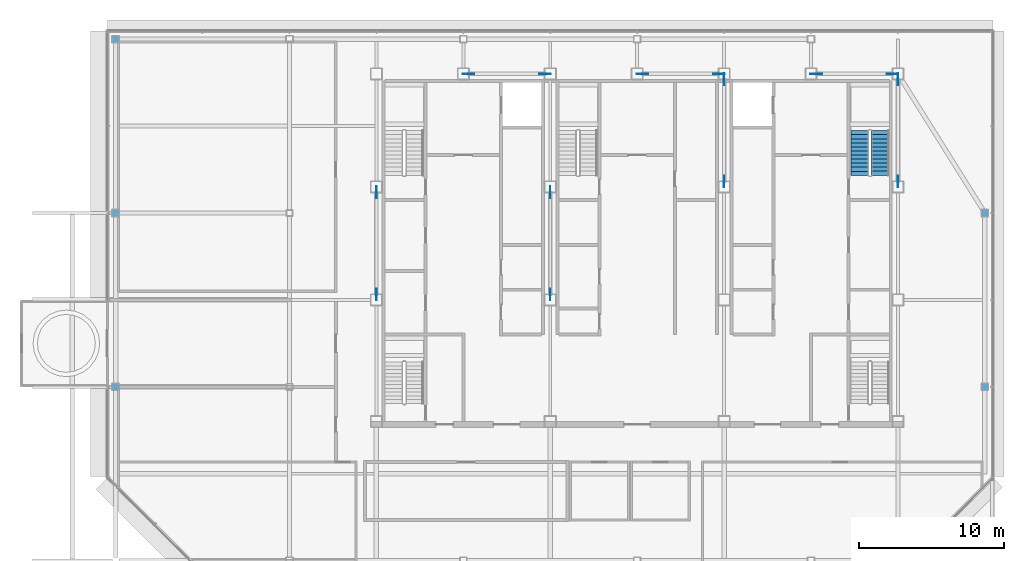
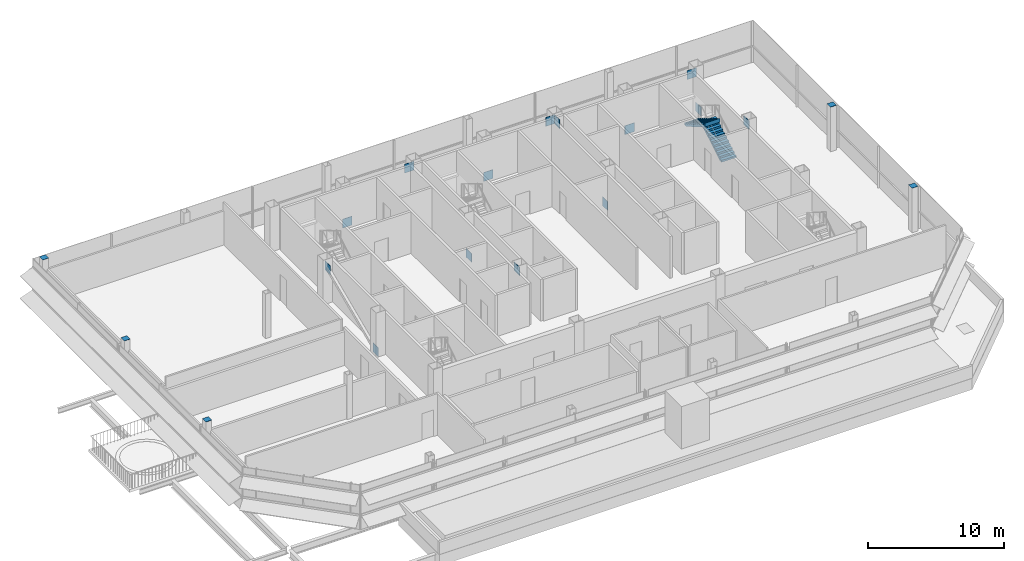
# One storey, part 23 of 26: 19 discrete accessories, 2 stair flights, 1 element without a shape of its own.
"""IFC4 building model written with IfcOpenShell, lengths in metres."""

from ifc_helpers import new_model, si_unit, direction, frame, origin, origin_2d, place, context, subcontext, project, spatial, polyline, rectangle, outline, extrude, material, layer, layer_set, type_object, element, aggregate, save


model = new_model("IFC4")

# Units and contexts
model_context = context("Model", 3, precision=1e-05, world=origin(), true_north=direction((0.0, 1.0)))
body_context = subcontext(model_context, "Body", "Model", "MODEL_VIEW")
ifc_project = project(units=[si_unit("LENGTHUNIT", "METRE"), si_unit("AREAUNIT", "SQUARE_METRE"), si_unit("VOLUMEUNIT", "CUBIC_METRE"), si_unit("PLANEANGLEUNIT", "RADIAN"), si_unit("MASSUNIT", "GRAM", prefix="KILO")], contexts=[model_context])

# Site, building, storey
site_placement = place(None, origin())
site = spatial("IfcSite", under=ifc_project, at=site_placement, CompositionType="ELEMENT")
building_placement = place(site_placement, origin())
building = spatial("IfcBuilding", under=site, at=building_placement, Name="Sorahane Residences", CompositionType="ELEMENT")
storey_placement = place(building_placement, frame((0.0, 0.0, 337.800048828125)))
storey = spatial("IfcBuildingStorey", under=building, at=storey_placement, Name="L80", CompositionType="ELEMENT", Elevation=337.800048828125)

# Stair, stair flights
ifc_material_1 = material(Name="Concrete C40", Category="concrete")
stair_type = type_object("IfcStairType", Name="Dog-leg stair 1250 Concrete C40", PredefinedType="HALF_TURN_STAIR", material=ifc_material_1)
stair_placement = place(storey_placement, origin())
stair = element("IfcStair", 1, at=stair_placement, inside=storey, type_object=stair_type, Name="L80 Stair S2", PredefinedType="HALF_TURN_STAIR")
ifc_material_2 = material(Name="Concrete C40", Category="concrete")
stair_flight_type = type_object("IfcStairFlightType", Name="Stair flight 1250 Concrete C40", PredefinedType="STRAIGHT", material=ifc_material_2)
stair_flight_1_placement = place(storey_placement, frame((40.77490234375, 38.60009765625, 0.0), z_axis=(0.0, 0.0, 1.0), x_axis=(0.0, 1.0, 0.0)))
stair_flight_1 = element("IfcStairFlight", 2, at=stair_flight_1_placement, type_object=stair_flight_type, Name="S2 flight 1", NumberOfRisers=12, NumberOfTreads=11, PredefinedType="STRAIGHT", RiserHeight=0.166666667, TreadLength=0.28, context=body_context, shape_type="SweptSolid", body=[
    extrude(outline(polyline([(-0.00146484375, 0.0), (-0.00146484375, 0.166748046875), (0.0, 0.166748046875), (0.280029296875, 0.166748046875), (0.280029296875, 0.333251953125), (0.56005859375, 0.333251953125), (0.56005859375, 0.5), (0.840087890625, 0.5), (0.840087890625, 0.666748046875), (1.1201171875, 0.666748046875), (1.1201171875, 0.833251953125), (1.39990234375, 0.833251953125), (1.39990234375, 1.0), (1.679931640625, 1.0), (1.679931640625, 1.166748046875), (1.9599609375, 1.166748046875), (1.9599609375, 1.333251953125), (2.239990234375, 1.333251953125), (2.239990234375, 1.5), (2.52001953125, 1.5), (2.52001953125, 1.666748046875), (2.800048828125, 1.666748046875), (2.800048828125, 1.833251953125), (3.080078125, 1.833251953125), (3.080078125, 2.0), (3.080078125, 1.658935546875), (2.86572265625, 1.53125), (2.651123046875, 1.403564453125), (2.436767578125, 1.276123046875), (2.222412109375, 1.1484375), (2.008056640625, 1.020751953125), (1.793701171875, 0.893310546875), (1.579345703125, 0.765625), (1.364990234375, 0.637939453125), (1.150634765625, 0.510498046875), (0.936279296875, 0.3828125), (0.721923828125, 0.255126953125), (0.507568359375, 0.127685546875), (0.29296875, 0.0), (-0.00146484375, 0.0)])), frame((0.0, 0.625, 0.0), z_axis=(0.0, -1.0, 0.0), x_axis=(1.0, 0.0, 0.0)), (0.0, 0.0, 1.0), 1.25),
])
stair_flight_2_placement = place(storey_placement, frame((39.375, 41.679931640625, 2.0), z_axis=(0.0, 0.0, 1.0), x_axis=(0.0, -1.0, 0.0)))
stair_flight_2 = element("IfcStairFlight", 3, at=stair_flight_2_placement, type_object=stair_flight_type, Name="S2 flight 2", NumberOfRisers=12, NumberOfTreads=11, PredefinedType="STRAIGHT", RiserHeight=0.166666667, TreadLength=0.28, context=body_context, shape_type="SweptSolid", body=[
    extrude(outline(polyline([(0.0, 0.0), (0.0, 0.166748046875), (0.280029296875, 0.166748046875), (0.280029296875, 0.333251953125), (0.56005859375, 0.333251953125), (0.56005859375, 0.5), (0.840087890625, 0.5), (0.840087890625, 0.666748046875), (1.1201171875, 0.666748046875), (1.1201171875, 0.833251953125), (1.39990234375, 0.833251953125), (1.39990234375, 1.0), (1.679931640625, 1.0), (1.679931640625, 1.166748046875), (1.9599609375, 1.166748046875), (1.9599609375, 1.333251953125), (2.239990234375, 1.333251953125), (2.239990234375, 1.5), (2.52001953125, 1.5), (2.52001953125, 1.666748046875), (2.800048828125, 1.666748046875), (2.800048828125, 1.833251953125), (3.080078125, 1.833251953125), (3.080078125, 2.0), (3.08154296875, 2.0), (3.08154296875, 1.658935546875), (2.866943359375, 1.53125), (2.652587890625, 1.403564453125), (2.43798828125, 1.276123046875), (2.2236328125, 1.1484375), (2.009033203125, 1.020751953125), (1.79443359375, 0.893310546875), (1.580078125, 0.765625), (1.365478515625, 0.637939453125), (1.151123046875, 0.510498046875), (0.9365234375, 0.3828125), (0.72216796875, 0.255126953125), (0.507568359375, 0.127685546875), (0.29296875, 0.0), (0.0, 0.0)])), frame((0.0, 0.625, 0.0), z_axis=(0.0, -1.0, 0.0), x_axis=(1.0, 0.0, 0.0)), (0.0, 0.0, 1.0), 1.25),
])
aggregate(stair, [stair_flight_1, stair_flight_2])

# Discrete accessories
ifc_material_3 = material(Name="Steel Q355B", Category="steel")
ifc_layer_1 = layer(ifc_material_3, 0.02001953125)
ifc_layer_set_1 = layer_set([ifc_layer_1], Name="End plate Steel Q355B 500x500x20")
discrete_accessory_type_1 = type_object("IfcDiscreteAccessoryType", Name="End plate Steel Q355B 500x500x20", PredefinedType="USERDEFINED", material=ifc_layer_set_1)
for number, where, z_axis, x_axis, name in (
    (4, (48.0, 24.0, 4.0), (0.0, 0.0, 1.0), (1.0, 0.0, 0.0), "End plate L80"),
    (5, (48.0, 36.0, 4.0), (0.0, 0.0, 1.0), (1.0, 0.0, 0.0), "End plate L80"),
    (6, (-12.0, 24.0, 4.0), (0.0, 0.0, 1.0), (1.0, 0.0, 0.0), "End plate L80"),
    (7, (-12.0, 36.0, 4.0), (0.0, 0.0, 1.0), (1.0, 0.0, 0.0), "End plate L80"),
    (8, (-12.0, 48.0, 4.0), (0.0, 0.0, 1.0), (1.0, 0.0, 0.0), "End plate L80"),
):
    element("IfcDiscreteAccessory", number, at=place(storey_placement, frame(where, z_axis=z_axis, x_axis=x_axis)), inside=storey, type_object=discrete_accessory_type_1, Name=name, ObjectType="END PLATE", PredefinedType="USERDEFINED", context=body_context, shape_type="SweptSolid", body=[
        extrude(rectangle(XDim=0.5, YDim=0.5, at=origin_2d()), origin(), (0.0, 0.0, 1.0), 0.02001953125),
    ])
ifc_material_4 = material(Name="Steel Q355B", Category="steel")
ifc_layer_2 = layer(ifc_material_4, 0.02490234375)
ifc_layer_set_2 = layer_set([ifc_layer_2], Name="Node plate Steel Q355B 25")
discrete_accessory_type_2 = type_object("IfcDiscreteAccessoryType", Name="Node plate Steel Q355B 25", PredefinedType="BRACKET", material=ifc_layer_set_2)
for number, where, z_axis, x_axis, name in (
    (9, (6.0, 30.3701171875, -0.2880859375), (0.0, 0.0, 1.0), (0.0, 1.0, 0.0), "Node plate L80 br"),
    (10, (6.0, 37.429931640625, 2.7880859375), (0.0, 0.0, 1.0), (0.0, 1.0, 0.0), "Node plate L80 br"),
    (11, (18.0, 37.429931640625, -0.2880859375), (0.0, 0.0, 1.0), (0.0, 1.0, 0.0), "Node plate L80 br"),
    (12, (18.0, 30.3701171875, 2.7880859375), (0.0, 0.0, 1.0), (0.0, 1.0, 0.0), "Node plate L80 br"),
    (13, (30.0, 38.169921875, -0.2880859375), (0.0, 0.0, 1.0), (0.0, 1.0, 0.0), "Node plate L80 br"),
    (14, (30.0, 45.22998046875, 2.7880859375), (0.0, 0.0, 1.0), (0.0, 1.0, 0.0), "Node plate L80 br"),
    (15, (42.0, 45.22998046875, -0.2880859375), (0.0, 0.0, 1.0), (0.0, 1.0, 0.0), "Node plate L80 br"),
    (16, (42.0, 38.169921875, 2.7880859375), (0.0, 0.0, 1.0), (0.0, 1.0, 0.0), "Node plate L80 br"),
    (17, (12.362060546875, 45.60009765625, -0.29736328125), (0.0, 0.0, 1.0), (1.0, 0.0, 0.0), "Node plate L80 br"),
    (18, (24.362060546875, 45.60009765625, -0.29736328125), (0.0, 0.0, 1.0), (1.0, 0.0, 0.0), "Node plate L80 br"),
    (19, (36.362060546875, 45.60009765625, -0.29736328125), (0.0, 0.0, 1.0), (1.0, 0.0, 0.0), "Node plate L80 br"),
    (20, (17.637939453125, 45.60009765625, 2.79736328125), (0.0, 0.0, 1.0), (1.0, 0.0, 0.0), "Node plate L80 br"),
    (21, (29.637939453125, 45.60009765625, 2.79736328125), (0.0, 0.0, 1.0), (1.0, 0.0, 0.0), "Node plate L80 br"),
    (22, (41.637939453125, 45.60009765625, 2.79736328125), (0.0, 0.0, 1.0), (1.0, 0.0, 0.0), "Node plate L80 br"),
):
    element("IfcDiscreteAccessory", number, at=place(storey_placement, frame(where, z_axis=z_axis, x_axis=x_axis)), inside=storey, type_object=discrete_accessory_type_2, Name=name, PredefinedType="BRACKET", context=body_context, shape_type="SweptSolid", body=[
        extrude(rectangle(XDim=0.800048828125, YDim=0.02490234375, at=origin_2d()), origin(), (0.0, 0.0, 1.0), 0.800048828125),
    ])

save(model, "model.ifc")
